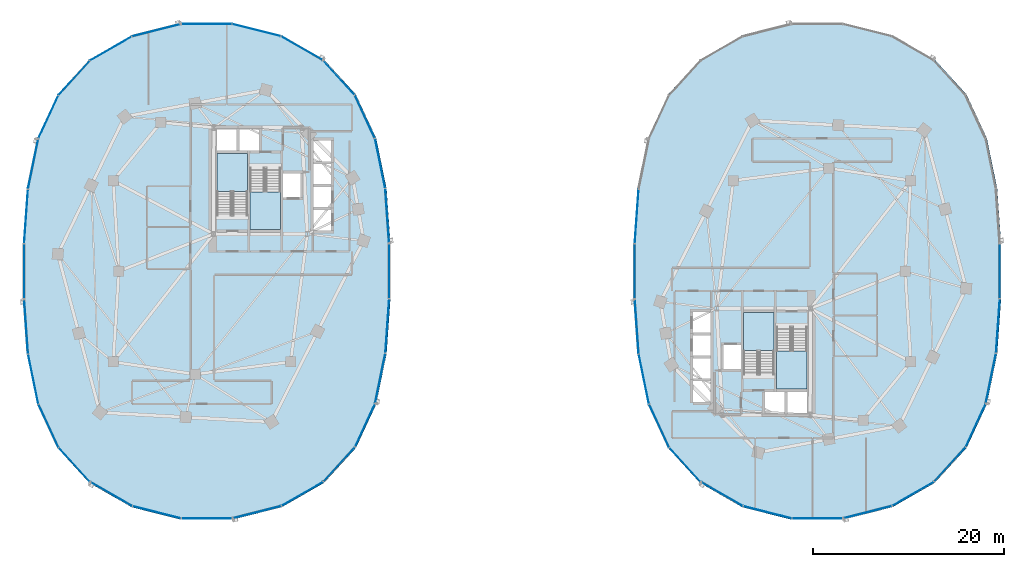
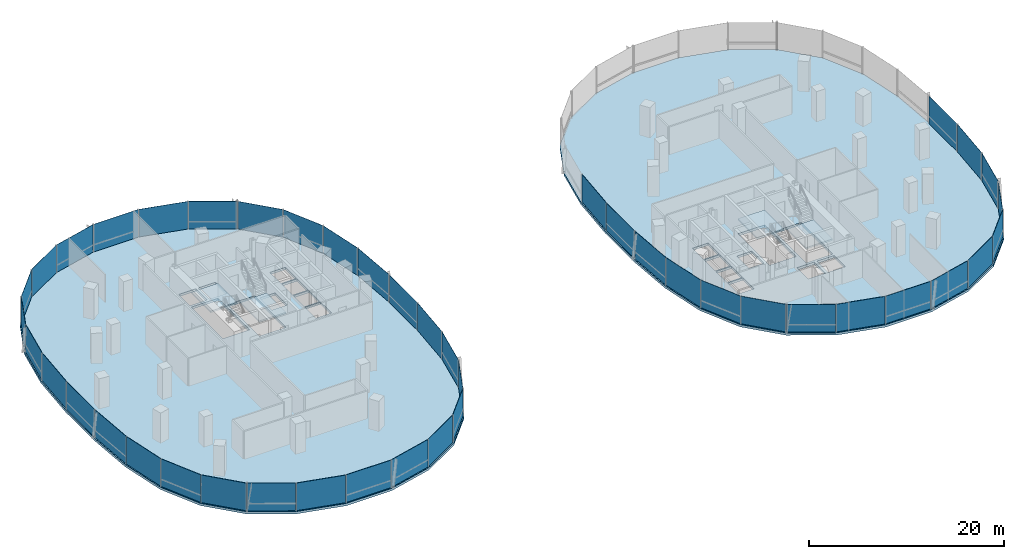
# One storey, part 9 of 21: 44 plates, 6 slabs, 11 elements without a shape of their own.
"""IFC4 building model written with IfcOpenShell, lengths in metres."""

from ifc_helpers import new_model, si_unit, direction, frame, origin, origin_2d, place, context, subcontext, project, spatial, polyline, rectangle, outline, extrude, material, layer, layer_set, type_object, element, aggregate, save


model = new_model("IFC4")

# Units and contexts
model_context = context("Model", 3, precision=1e-05, world=origin(), true_north=direction((0.0, 1.0)))
body_context = subcontext(model_context, "Body", "Model", "MODEL_VIEW")
ifc_project = project(units=[si_unit("LENGTHUNIT", "METRE"), si_unit("AREAUNIT", "SQUARE_METRE"), si_unit("VOLUMEUNIT", "CUBIC_METRE"), si_unit("PLANEANGLEUNIT", "RADIAN"), si_unit("MASSUNIT", "GRAM", prefix="KILO"), si_unit("THERMODYNAMICTEMPERATUREUNIT", "KELVIN"), si_unit("POWERUNIT", "WATT")], contexts=[model_context])

# Site, building, storey
site_placement = place(None, origin())
site = spatial("IfcSite", under=ifc_project, at=site_placement, CompositionType="ELEMENT")
building_placement = place(site_placement, origin())
building = spatial("IfcBuilding", under=site, at=building_placement, Name="Cundina Bronze Exchange", CompositionType="ELEMENT")
storey_placement = place(building_placement, frame((0.0, 0.0, 69.60009765625)))
storey = spatial("IfcBuildingStorey", under=building, at=storey_placement, Name="L17", CompositionType="ELEMENT", Elevation=69.60009765625)

# Curtain wall, plates
ifc_material_1 = material(Name="Anodised Bronze Aluminium 6063-T6", Category="aluminium")
curtain_wall_type = type_object("IfcCurtainWallType", Name="CWS-TRD-LOW", PredefinedType="NOTDEFINED", material=ifc_material_1)
curtain_wall_1_placement = place(storey_placement, origin())
curtain_wall_1 = element("IfcCurtainWall", 1, at=curtain_wall_1_placement, inside=storey, type_object=curtain_wall_type, Name="L17 CW-02 Curtain Wall Run CWR-L17-W1", PredefinedType="NOTDEFINED")
ifc_material_2 = material(Name="Heat-Strengthened Solar-Control Bronze Safety Glass 28mm", Category="glass")
ifc_layer_1 = layer(ifc_material_2, 0.028076171875, Name="Heat-Strengthened Solar-Control Bronze Safety Glass 28mm", Category="glass")
ifc_layer_set_1 = layer_set([ifc_layer_1], Name="Heat-Strengthened Solar-Control Bronze Safety Glass 28mm")
plate_type_1 = type_object("IfcPlateType", Name="PLT-GLZ-VIS28", PredefinedType="CURTAIN_PANEL", material=ifc_layer_set_1)
plate_1_placement = place(storey_placement, frame((-13.0732421875, 5.783935546875, 0.02001953125), z_axis=(0.0, 0.0, 1.0), x_axis=(-0.070278787473, 0.997527389113, 0.0)))
plate_1 = element("IfcPlate", 2, at=plate_1_placement, type_object=plate_type_1, Name="CW-02 Glazed Panel 1", PredefinedType="CURTAIN_PANEL", context=body_context, shape_type="SweptSolid", body=[
    extrude(rectangle(XDim=5.644287109375, YDim=0.028076171875, at=origin_2d()), origin(), (0.0, 0.0, 1.0), 3.4599609375),
])
plate_2_placement = place(storey_placement, frame((-13.81591796875, 11.269775390625, 0.02001953125), z_axis=(0.0, 0.0, 1.0), x_axis=(-0.201419845156, 0.979505000486, 0.0)))
plate_2 = element("IfcPlate", 3, at=plate_2_placement, type_object=plate_type_1, Name="CW-02 Glazed Panel 2", PredefinedType="CURTAIN_PANEL", context=body_context, shape_type="SweptSolid", body=[
    extrude(rectangle(XDim=5.306640625, YDim=0.028076171875, at=origin_2d()), origin(), (0.0, 0.0, 1.0), 3.4599609375),
])
plate_3_placement = place(storey_placement, frame((-18.1259765625, 20.267333984375, 0.02001953125), z_axis=(0.0, 0.0, 1.0), x_axis=(-0.674276610219, 0.73847887777, 0.0)))
plate_3 = element("IfcPlate", 4, at=plate_3_placement, type_object=plate_type_1, Name="CW-02 Glazed Panel 4", PredefinedType="CURTAIN_PANEL", context=body_context, shape_type="SweptSolid", body=[
    extrude(rectangle(XDim=4.86328125, YDim=0.028076171875, at=origin_2d()), origin(), (0.0, 0.0, 1.0), 3.4599609375),
])
plate_4_placement = place(storey_placement, frame((-21.980712890625, 23.34423828125, 0.02001953125), z_axis=(0.0, 0.0, 1.0), x_axis=(-0.867105478933, 0.498124571171, 0.0)))
plate_4 = element("IfcPlate", 5, at=plate_4_placement, type_object=plate_type_1, Name="CW-02 Glazed Panel 5", PredefinedType="CURTAIN_PANEL", context=body_context, shape_type="SweptSolid", body=[
    extrude(rectangle(XDim=5.021240234375, YDim=0.028076171875, at=origin_2d()), origin(), (0.0, 0.0, 1.0), 3.4599609375),
])
plate_5_placement = place(storey_placement, frame((-26.744384765625, 25.256591796875, 0.02001953125), z_axis=(0.0, 0.0, 1.0), x_axis=(-0.969488149345, 0.245138182011, 0.0)))
plate_5 = element("IfcPlate", 6, at=plate_5_placement, type_object=plate_type_1, Name="CW-02 Glazed Panel 6", PredefinedType="CURTAIN_PANEL", context=body_context, shape_type="SweptSolid", body=[
    extrude(rectangle(XDim=5.2333984375, YDim=0.028076171875, at=origin_2d()), origin(), (0.0, 0.0, 1.0), 3.4599609375),
])
plate_6_placement = place(storey_placement, frame((-32.0, 25.905029296875, 0.02001953125), z_axis=(0.0, 0.0, 1.0), x_axis=(-1.0, 0.0, 0.0)))
plate_6 = element("IfcPlate", 7, at=plate_6_placement, type_object=plate_type_1, Name="CW-02 Glazed Panel 7", PredefinedType="CURTAIN_PANEL", context=body_context, shape_type="SweptSolid", body=[
    extrude(rectangle(XDim=5.323974609375, YDim=0.028076171875, at=origin_2d()), origin(), (0.0, 0.0, 1.0), 3.4599609375),
])

curtain_wall_2_placement = place(storey_placement, origin())
curtain_wall_2 = element("IfcCurtainWall", 8, at=curtain_wall_2_placement, inside=storey, type_object=curtain_wall_type, Name="L17 CW-02 Curtain Wall Run CWR-L17-W2", PredefinedType="NOTDEFINED")
plate_7_placement = place(storey_placement, frame((-37.255615234375, 25.256591796875, 0.02001953125), z_axis=(0.0, 0.0, 1.0), x_axis=(-0.969488149345, -0.245138182011, 0.0)))
plate_7 = element("IfcPlate", 9, at=plate_7_placement, type_object=plate_type_1, Name="CW-02 Glazed Panel 1", PredefinedType="CURTAIN_PANEL", context=body_context, shape_type="SweptSolid", body=[
    extrude(rectangle(XDim=5.2333984375, YDim=0.028076171875, at=origin_2d()), origin(), (0.0, 0.0, 1.0), 3.4599609375),
])
plate_8_placement = place(storey_placement, frame((-45.8740234375, 20.267333984375, 0.02001953125), z_axis=(0.0, 0.0, 1.0), x_axis=(-0.674276610219, -0.73847887777, 0.0)))
plate_8 = element("IfcPlate", 10, at=plate_8_placement, type_object=plate_type_1, Name="CW-02 Glazed Panel 3", PredefinedType="CURTAIN_PANEL", context=body_context, shape_type="SweptSolid", body=[
    extrude(rectangle(XDim=4.86328125, YDim=0.028076171875, at=origin_2d()), origin(), (0.0, 0.0, 1.0), 3.4599609375),
])
plate_9_placement = place(storey_placement, frame((-48.586181640625, 16.177734375, 0.02001953125), z_axis=(0.0, 0.0, 1.0), x_axis=(-0.42084583328, -0.907132175932, 0.0)))
plate_9 = element("IfcPlate", 11, at=plate_9_placement, type_object=plate_type_1, Name="CW-02 Glazed Panel 4", PredefinedType="CURTAIN_PANEL", context=body_context, shape_type="SweptSolid", body=[
    extrude(rectangle(XDim=4.966552734375, YDim=0.028076171875, at=origin_2d()), origin(), (0.0, 0.0, 1.0), 3.4599609375),
])
plate_10_placement = place(storey_placement, frame((-50.18408203125, 11.269775390625, 0.02001953125), z_axis=(0.0, 0.0, 1.0), x_axis=(-0.201419845156, -0.979505000486, 0.0)))
plate_10 = element("IfcPlate", 12, at=plate_10_placement, type_object=plate_type_1, Name="CW-02 Glazed Panel 5", PredefinedType="CURTAIN_PANEL", context=body_context, shape_type="SweptSolid", body=[
    extrude(rectangle(XDim=5.306640625, YDim=0.028076171875, at=origin_2d()), origin(), (0.0, 0.0, 1.0), 3.4599609375),
])
plate_11_placement = place(storey_placement, frame((-50.9267578125, 5.783935546875, 0.02001953125), z_axis=(0.0, 0.0, 1.0), x_axis=(-0.070278787473, -0.997527389113, 0.0)))
plate_11 = element("IfcPlate", 13, at=plate_11_placement, type_object=plate_type_1, Name="CW-02 Glazed Panel 6", PredefinedType="CURTAIN_PANEL", context=body_context, shape_type="SweptSolid", body=[
    extrude(rectangle(XDim=5.644287109375, YDim=0.028076171875, at=origin_2d()), origin(), (0.0, 0.0, 1.0), 3.4599609375),
])

curtain_wall_3_placement = place(storey_placement, origin())
curtain_wall_3 = element("IfcCurtainWall", 14, at=curtain_wall_3_placement, inside=storey, type_object=curtain_wall_type, Name="L17 CW-02 Curtain Wall Run CWR-L17-W3", PredefinedType="NOTDEFINED")
plate_12_placement = place(storey_placement, frame((-50.18408203125, -11.269775390625, 0.02001953125), z_axis=(0.0, 0.0, 1.0), x_axis=(0.201419845156, -0.979505000486, 0.0)))
plate_12 = element("IfcPlate", 15, at=plate_12_placement, type_object=plate_type_1, Name="CW-02 Glazed Panel 2", PredefinedType="CURTAIN_PANEL", context=body_context, shape_type="SweptSolid", body=[
    extrude(rectangle(XDim=5.306640625, YDim=0.028076171875, at=origin_2d()), origin(), (0.0, 0.0, 1.0), 3.4599609375),
])
plate_13_placement = place(storey_placement, frame((-48.586181640625, -16.177734375, 0.02001953125), z_axis=(0.0, 0.0, 1.0), x_axis=(0.42084583328, -0.907132175932, 0.0)))
plate_13 = element("IfcPlate", 16, at=plate_13_placement, type_object=plate_type_1, Name="CW-02 Glazed Panel 3", PredefinedType="CURTAIN_PANEL", context=body_context, shape_type="SweptSolid", body=[
    extrude(rectangle(XDim=4.966552734375, YDim=0.028076171875, at=origin_2d()), origin(), (0.0, 0.0, 1.0), 3.4599609375),
])
plate_14_placement = place(storey_placement, frame((-45.8740234375, -20.267333984375, 0.02001953125), z_axis=(0.0, 0.0, 1.0), x_axis=(0.674276610219, -0.73847887777, 0.0)))
plate_14 = element("IfcPlate", 17, at=plate_14_placement, type_object=plate_type_1, Name="CW-02 Glazed Panel 4", PredefinedType="CURTAIN_PANEL", context=body_context, shape_type="SweptSolid", body=[
    extrude(rectangle(XDim=4.86328125, YDim=0.028076171875, at=origin_2d()), origin(), (0.0, 0.0, 1.0), 3.4599609375),
])
plate_15_placement = place(storey_placement, frame((-42.019287109375, -23.34423828125, 0.02001953125), z_axis=(0.0, 0.0, 1.0), x_axis=(0.867105478933, -0.498124571171, 0.0)))
plate_15 = element("IfcPlate", 18, at=plate_15_placement, type_object=plate_type_1, Name="CW-02 Glazed Panel 5", PredefinedType="CURTAIN_PANEL", context=body_context, shape_type="SweptSolid", body=[
    extrude(rectangle(XDim=5.021240234375, YDim=0.028076171875, at=origin_2d()), origin(), (0.0, 0.0, 1.0), 3.4599609375),
])
plate_16_placement = place(storey_placement, frame((-32.0, -25.905029296875, 0.02001953125), z_axis=(0.0, 0.0, 1.0), x_axis=(1.0, 0.0, 0.0)))
plate_16 = element("IfcPlate", 19, at=plate_16_placement, type_object=plate_type_1, Name="CW-02 Glazed Panel 7", PredefinedType="CURTAIN_PANEL", context=body_context, shape_type="SweptSolid", body=[
    extrude(rectangle(XDim=5.323974609375, YDim=0.028076171875, at=origin_2d()), origin(), (0.0, 0.0, 1.0), 3.4599609375),
])

curtain_wall_4_placement = place(storey_placement, origin())
curtain_wall_4 = element("IfcCurtainWall", 20, at=curtain_wall_4_placement, inside=storey, type_object=curtain_wall_type, Name="L17 CW-02 Curtain Wall Run CWR-L17-W4", PredefinedType="NOTDEFINED")
plate_17_placement = place(storey_placement, frame((-26.744384765625, -25.256591796875, 0.02001953125), z_axis=(0.0, 0.0, 1.0), x_axis=(0.969488149345, 0.245138182011, 0.0)))
plate_17 = element("IfcPlate", 21, at=plate_17_placement, type_object=plate_type_1, Name="CW-02 Glazed Panel 1", PredefinedType="CURTAIN_PANEL", context=body_context, shape_type="SweptSolid", body=[
    extrude(rectangle(XDim=5.2333984375, YDim=0.028076171875, at=origin_2d()), origin(), (0.0, 0.0, 1.0), 3.4599609375),
])
plate_18_placement = place(storey_placement, frame((-21.980712890625, -23.34423828125, 0.02001953125), z_axis=(0.0, 0.0, 1.0), x_axis=(0.867105478933, 0.498124571171, 0.0)))
plate_18 = element("IfcPlate", 22, at=plate_18_placement, type_object=plate_type_1, Name="CW-02 Glazed Panel 2", PredefinedType="CURTAIN_PANEL", context=body_context, shape_type="SweptSolid", body=[
    extrude(rectangle(XDim=5.021240234375, YDim=0.028076171875, at=origin_2d()), origin(), (0.0, 0.0, 1.0), 3.4599609375),
])
plate_19_placement = place(storey_placement, frame((-18.1259765625, -20.267333984375, 0.02001953125), z_axis=(0.0, 0.0, 1.0), x_axis=(0.674276610219, 0.73847887777, 0.0)))
plate_19 = element("IfcPlate", 23, at=plate_19_placement, type_object=plate_type_1, Name="CW-02 Glazed Panel 3", PredefinedType="CURTAIN_PANEL", context=body_context, shape_type="SweptSolid", body=[
    extrude(rectangle(XDim=4.86328125, YDim=0.028076171875, at=origin_2d()), origin(), (0.0, 0.0, 1.0), 3.4599609375),
])
plate_20_placement = place(storey_placement, frame((-15.413818359375, -16.177734375, 0.02001953125), z_axis=(0.0, 0.0, 1.0), x_axis=(0.42084583328, 0.907132175932, 0.0)))
plate_20 = element("IfcPlate", 24, at=plate_20_placement, type_object=plate_type_1, Name="CW-02 Glazed Panel 4", PredefinedType="CURTAIN_PANEL", context=body_context, shape_type="SweptSolid", body=[
    extrude(rectangle(XDim=4.966552734375, YDim=0.028076171875, at=origin_2d()), origin(), (0.0, 0.0, 1.0), 3.4599609375),
])
plate_21_placement = place(storey_placement, frame((-13.0732421875, -5.783935546875, 0.02001953125), z_axis=(0.0, 0.0, 1.0), x_axis=(0.070278787473, 0.997527389113, 0.0)))
plate_21 = element("IfcPlate", 25, at=plate_21_placement, type_object=plate_type_1, Name="CW-02 Glazed Panel 6", PredefinedType="CURTAIN_PANEL", context=body_context, shape_type="SweptSolid", body=[
    extrude(rectangle(XDim=5.644287109375, YDim=0.028076171875, at=origin_2d()), origin(), (0.0, 0.0, 1.0), 3.4599609375),
])
plate_22_placement = place(storey_placement, frame((-12.8720703125, 0.0, 0.02001953125), z_axis=(0.0, 0.0, 1.0), x_axis=(0.0, 1.0, 0.0)))
plate_22 = element("IfcPlate", 26, at=plate_22_placement, type_object=plate_type_1, Name="CW-02 Glazed Panel 7", PredefinedType="CURTAIN_PANEL", context=body_context, shape_type="SweptSolid", body=[
    extrude(rectangle(XDim=5.77587890625, YDim=0.028076171875, at=origin_2d()), origin(), (0.0, 0.0, 1.0), 3.4599609375),
])

# Curtain wall, plate
curtain_wall_5_placement = place(storey_placement, origin())
curtain_wall_5 = element("IfcCurtainWall", 27, at=curtain_wall_5_placement, inside=storey, type_object=curtain_wall_type, Name="L17 CW-02 Curtain Wall Run CWR-L17-E2", PredefinedType="NOTDEFINED")
plate_23_placement = place(storey_placement, frame((13.0732421875, 5.783935546875, 0.02001953125), z_axis=(0.0, 0.0, 1.0), x_axis=(-0.070278787473, -0.997527389113, 0.0)))
plate_23 = element("IfcPlate", 28, at=plate_23_placement, type_object=plate_type_1, Name="CW-02 Glazed Panel 6", PredefinedType="CURTAIN_PANEL", context=body_context, shape_type="SweptSolid", body=[
    extrude(rectangle(XDim=5.644287109375, YDim=0.028076171875, at=origin_2d()), origin(), (0.0, 0.0, 1.0), 3.4599609375),
])

# Curtain wall, plates
curtain_wall_6_placement = place(storey_placement, origin())
curtain_wall_6 = element("IfcCurtainWall", 29, at=curtain_wall_6_placement, inside=storey, type_object=curtain_wall_type, Name="L17 CW-02 Curtain Wall Run CWR-L17-E3", PredefinedType="NOTDEFINED")
plate_24_placement = place(storey_placement, frame((13.81591796875, -11.269775390625, 0.02001953125), z_axis=(0.0, 0.0, 1.0), x_axis=(0.201419845156, -0.979505000486, 0.0)))
plate_24 = element("IfcPlate", 30, at=plate_24_placement, type_object=plate_type_1, Name="CW-02 Glazed Panel 2", PredefinedType="CURTAIN_PANEL", context=body_context, shape_type="SweptSolid", body=[
    extrude(rectangle(XDim=5.306640625, YDim=0.028076171875, at=origin_2d()), origin(), (0.0, 0.0, 1.0), 3.4599609375),
])
plate_25_placement = place(storey_placement, frame((15.413818359375, -16.177734375, 0.02001953125), z_axis=(0.0, 0.0, 1.0), x_axis=(0.42084583328, -0.907132175932, 0.0)))
plate_25 = element("IfcPlate", 31, at=plate_25_placement, type_object=plate_type_1, Name="CW-02 Glazed Panel 3", PredefinedType="CURTAIN_PANEL", context=body_context, shape_type="SweptSolid", body=[
    extrude(rectangle(XDim=4.966552734375, YDim=0.028076171875, at=origin_2d()), origin(), (0.0, 0.0, 1.0), 3.4599609375),
])
plate_26_placement = place(storey_placement, frame((18.1259765625, -20.267333984375, 0.02001953125), z_axis=(0.0, 0.0, 1.0), x_axis=(0.674276610219, -0.73847887777, 0.0)))
plate_26 = element("IfcPlate", 32, at=plate_26_placement, type_object=plate_type_1, Name="CW-02 Glazed Panel 4", PredefinedType="CURTAIN_PANEL", context=body_context, shape_type="SweptSolid", body=[
    extrude(rectangle(XDim=4.86328125, YDim=0.028076171875, at=origin_2d()), origin(), (0.0, 0.0, 1.0), 3.4599609375),
])
plate_27_placement = place(storey_placement, frame((21.980712890625, -23.34423828125, 0.02001953125), z_axis=(0.0, 0.0, 1.0), x_axis=(0.867105478933, -0.498124571171, 0.0)))
plate_27 = element("IfcPlate", 33, at=plate_27_placement, type_object=plate_type_1, Name="CW-02 Glazed Panel 5", PredefinedType="CURTAIN_PANEL", context=body_context, shape_type="SweptSolid", body=[
    extrude(rectangle(XDim=5.021240234375, YDim=0.028076171875, at=origin_2d()), origin(), (0.0, 0.0, 1.0), 3.4599609375),
])
plate_28_placement = place(storey_placement, frame((32.0, -25.905029296875, 0.02001953125), z_axis=(0.0, 0.0, 1.0), x_axis=(1.0, 0.0, 0.0)))
plate_28 = element("IfcPlate", 34, at=plate_28_placement, type_object=plate_type_1, Name="CW-02 Glazed Panel 7", PredefinedType="CURTAIN_PANEL", context=body_context, shape_type="SweptSolid", body=[
    extrude(rectangle(XDim=5.323974609375, YDim=0.028076171875, at=origin_2d()), origin(), (0.0, 0.0, 1.0), 3.4599609375),
])

curtain_wall_7_placement = place(storey_placement, origin())
curtain_wall_7 = element("IfcCurtainWall", 35, at=curtain_wall_7_placement, inside=storey, type_object=curtain_wall_type, Name="L17 CW-02 Curtain Wall Run CWR-L17-E4", PredefinedType="NOTDEFINED")
plate_29_placement = place(storey_placement, frame((37.255615234375, -25.256591796875, 0.02001953125), z_axis=(0.0, 0.0, 1.0), x_axis=(0.969488149345, 0.245138182011, 0.0)))
plate_29 = element("IfcPlate", 36, at=plate_29_placement, type_object=plate_type_1, Name="CW-02 Glazed Panel 1", PredefinedType="CURTAIN_PANEL", context=body_context, shape_type="SweptSolid", body=[
    extrude(rectangle(XDim=5.2333984375, YDim=0.028076171875, at=origin_2d()), origin(), (0.0, 0.0, 1.0), 3.4599609375),
])
plate_30_placement = place(storey_placement, frame((42.019287109375, -23.34423828125, 0.02001953125), z_axis=(0.0, 0.0, 1.0), x_axis=(0.867105478933, 0.498124571171, 0.0)))
plate_30 = element("IfcPlate", 37, at=plate_30_placement, type_object=plate_type_1, Name="CW-02 Glazed Panel 2", PredefinedType="CURTAIN_PANEL", context=body_context, shape_type="SweptSolid", body=[
    extrude(rectangle(XDim=5.021240234375, YDim=0.028076171875, at=origin_2d()), origin(), (0.0, 0.0, 1.0), 3.4599609375),
])
plate_31_placement = place(storey_placement, frame((45.8740234375, -20.267333984375, 0.02001953125), z_axis=(0.0, 0.0, 1.0), x_axis=(0.674276610219, 0.73847887777, 0.0)))
plate_31 = element("IfcPlate", 38, at=plate_31_placement, type_object=plate_type_1, Name="CW-02 Glazed Panel 3", PredefinedType="CURTAIN_PANEL", context=body_context, shape_type="SweptSolid", body=[
    extrude(rectangle(XDim=4.86328125, YDim=0.028076171875, at=origin_2d()), origin(), (0.0, 0.0, 1.0), 3.4599609375),
])
plate_32_placement = place(storey_placement, frame((48.586181640625, -16.177734375, 0.02001953125), z_axis=(0.0, 0.0, 1.0), x_axis=(0.42084583328, 0.907132175932, 0.0)))
plate_32 = element("IfcPlate", 39, at=plate_32_placement, type_object=plate_type_1, Name="CW-02 Glazed Panel 4", PredefinedType="CURTAIN_PANEL", context=body_context, shape_type="SweptSolid", body=[
    extrude(rectangle(XDim=4.966552734375, YDim=0.028076171875, at=origin_2d()), origin(), (0.0, 0.0, 1.0), 3.4599609375),
])
plate_33_placement = place(storey_placement, frame((50.9267578125, -5.783935546875, 0.02001953125), z_axis=(0.0, 0.0, 1.0), x_axis=(0.070278787473, 0.997527389113, 0.0)))
plate_33 = element("IfcPlate", 40, at=plate_33_placement, type_object=plate_type_1, Name="CW-02 Glazed Panel 6", PredefinedType="CURTAIN_PANEL", context=body_context, shape_type="SweptSolid", body=[
    extrude(rectangle(XDim=5.644287109375, YDim=0.028076171875, at=origin_2d()), origin(), (0.0, 0.0, 1.0), 3.4599609375),
])
plate_34_placement = place(storey_placement, frame((51.1279296875, 0.0, 0.02001953125), z_axis=(0.0, 0.0, 1.0), x_axis=(0.0, 1.0, 0.0)))
plate_34 = element("IfcPlate", 41, at=plate_34_placement, type_object=plate_type_1, Name="CW-02 Glazed Panel 7", PredefinedType="CURTAIN_PANEL", context=body_context, shape_type="SweptSolid", body=[
    extrude(rectangle(XDim=5.77587890625, YDim=0.028076171875, at=origin_2d()), origin(), (0.0, 0.0, 1.0), 3.4599609375),
])

# Plate
ifc_material_3 = material(Name="Dark Bronze Spandrel Glass Panel 32mm", Category="glass")
ifc_layer_2 = layer(ifc_material_3, 0.031982421875, Name="Dark Bronze Spandrel Glass Panel 32mm", Category="glass")
ifc_layer_set_2 = layer_set([ifc_layer_2], Name="Dark Bronze Spandrel Glass Panel 32mm")
plate_type_2 = type_object("IfcPlateType", Name="PLT-SPN-BRZ32", PredefinedType="CURTAIN_PANEL", material=ifc_layer_set_2)
plate_35_placement = place(storey_placement, frame((-15.413818359375, 16.177734375, 0.02001953125), z_axis=(0.0, 0.0, 1.0), x_axis=(-0.42084583328, 0.907132175932, 0.0)))
plate_35 = element("IfcPlate", 42, at=plate_35_placement, type_object=plate_type_2, Name="CW-02 Glazed Panel 3", PredefinedType="CURTAIN_PANEL", context=body_context, shape_type="SweptSolid", body=[
    extrude(rectangle(XDim=4.966552734375, YDim=0.031982421875, at=origin_2d()), origin(), (0.0, 0.0, 1.0), 3.4599609375),
])

aggregate(curtain_wall_1, [plate_1, plate_2, plate_35, plate_3, plate_4, plate_5, plate_6])

plate_36_placement = place(storey_placement, frame((-42.019287109375, 23.34423828125, 0.02001953125), z_axis=(0.0, 0.0, 1.0), x_axis=(-0.867105478933, -0.498124571171, 0.0)))
plate_36 = element("IfcPlate", 43, at=plate_36_placement, type_object=plate_type_2, Name="CW-02 Glazed Panel 2", PredefinedType="CURTAIN_PANEL", context=body_context, shape_type="SweptSolid", body=[
    extrude(rectangle(XDim=5.021240234375, YDim=0.031982421875, at=origin_2d()), origin(), (0.0, 0.0, 1.0), 3.4599609375),
])

plate_37_placement = place(storey_placement, frame((-51.1279296875, 0.0, 0.02001953125), z_axis=(0.0, 0.0, 1.0), x_axis=(0.0, -1.0, 0.0)))
plate_37 = element("IfcPlate", 44, at=plate_37_placement, type_object=plate_type_2, Name="CW-02 Glazed Panel 7", PredefinedType="CURTAIN_PANEL", context=body_context, shape_type="SweptSolid", body=[
    extrude(rectangle(XDim=5.77587890625, YDim=0.031982421875, at=origin_2d()), origin(), (0.0, 0.0, 1.0), 3.4599609375),
])

aggregate(curtain_wall_2, [plate_7, plate_36, plate_8, plate_9, plate_10, plate_11, plate_37])

plate_38_placement = place(storey_placement, frame((-50.9267578125, -5.783935546875, 0.02001953125), z_axis=(0.0, 0.0, 1.0), x_axis=(0.070278787473, -0.997527389113, 0.0)))
plate_38 = element("IfcPlate", 45, at=plate_38_placement, type_object=plate_type_2, Name="CW-02 Glazed Panel 1", PredefinedType="CURTAIN_PANEL", context=body_context, shape_type="SweptSolid", body=[
    extrude(rectangle(XDim=5.644287109375, YDim=0.031982421875, at=origin_2d()), origin(), (0.0, 0.0, 1.0), 3.4599609375),
])

plate_39_placement = place(storey_placement, frame((-37.255615234375, -25.256591796875, 0.02001953125), z_axis=(0.0, 0.0, 1.0), x_axis=(0.969488149345, -0.245138182011, 0.0)))
plate_39 = element("IfcPlate", 46, at=plate_39_placement, type_object=plate_type_2, Name="CW-02 Glazed Panel 6", PredefinedType="CURTAIN_PANEL", context=body_context, shape_type="SweptSolid", body=[
    extrude(rectangle(XDim=5.2333984375, YDim=0.031982421875, at=origin_2d()), origin(), (0.0, 0.0, 1.0), 3.4599609375),
])

aggregate(curtain_wall_3, [plate_38, plate_12, plate_13, plate_14, plate_15, plate_39, plate_16])

plate_40_placement = place(storey_placement, frame((-13.81591796875, -11.269775390625, 0.02001953125), z_axis=(0.0, 0.0, 1.0), x_axis=(0.201419845156, 0.979505000486, 0.0)))
plate_40 = element("IfcPlate", 47, at=plate_40_placement, type_object=plate_type_2, Name="CW-02 Glazed Panel 5", PredefinedType="CURTAIN_PANEL", context=body_context, shape_type="SweptSolid", body=[
    extrude(rectangle(XDim=5.306640625, YDim=0.031982421875, at=origin_2d()), origin(), (0.0, 0.0, 1.0), 3.4599609375),
])

aggregate(curtain_wall_4, [plate_17, plate_18, plate_19, plate_20, plate_40, plate_21, plate_22])

plate_41_placement = place(storey_placement, frame((12.8720703125, 0.0, 0.02001953125), z_axis=(0.0, 0.0, 1.0), x_axis=(0.0, -1.0, 0.0)))
plate_41 = element("IfcPlate", 48, at=plate_41_placement, type_object=plate_type_2, Name="CW-02 Glazed Panel 7", PredefinedType="CURTAIN_PANEL", context=body_context, shape_type="SweptSolid", body=[
    extrude(rectangle(XDim=5.77587890625, YDim=0.031982421875, at=origin_2d()), origin(), (0.0, 0.0, 1.0), 3.4599609375),
])

aggregate(curtain_wall_5, [plate_23, plate_41])

plate_42_placement = place(storey_placement, frame((13.0732421875, -5.783935546875, 0.02001953125), z_axis=(0.0, 0.0, 1.0), x_axis=(0.070278787473, -0.997527389113, 0.0)))
plate_42 = element("IfcPlate", 49, at=plate_42_placement, type_object=plate_type_2, Name="CW-02 Glazed Panel 1", PredefinedType="CURTAIN_PANEL", context=body_context, shape_type="SweptSolid", body=[
    extrude(rectangle(XDim=5.644287109375, YDim=0.031982421875, at=origin_2d()), origin(), (0.0, 0.0, 1.0), 3.4599609375),
])

plate_43_placement = place(storey_placement, frame((26.744384765625, -25.256591796875, 0.02001953125), z_axis=(0.0, 0.0, 1.0), x_axis=(0.969488149345, -0.245138182011, 0.0)))
plate_43 = element("IfcPlate", 50, at=plate_43_placement, type_object=plate_type_2, Name="CW-02 Glazed Panel 6", PredefinedType="CURTAIN_PANEL", context=body_context, shape_type="SweptSolid", body=[
    extrude(rectangle(XDim=5.2333984375, YDim=0.031982421875, at=origin_2d()), origin(), (0.0, 0.0, 1.0), 3.4599609375),
])

aggregate(curtain_wall_6, [plate_42, plate_24, plate_25, plate_26, plate_27, plate_43, plate_28])

plate_44_placement = place(storey_placement, frame((50.18408203125, -11.269775390625, 0.02001953125), z_axis=(0.0, 0.0, 1.0), x_axis=(0.201419845156, 0.979505000486, 0.0)))
plate_44 = element("IfcPlate", 51, at=plate_44_placement, type_object=plate_type_2, Name="CW-02 Glazed Panel 5", PredefinedType="CURTAIN_PANEL", context=body_context, shape_type="SweptSolid", body=[
    extrude(rectangle(XDim=5.306640625, YDim=0.031982421875, at=origin_2d()), origin(), (0.0, 0.0, 1.0), 3.4599609375),
])

aggregate(curtain_wall_7, [plate_29, plate_30, plate_31, plate_32, plate_44, plate_33, plate_34])

# Stair, slab
ifc_material_4 = material(Name="Concrete C40/50", Category="concrete")
stair_type = type_object("IfcStairType", Name="STR-TRD-380", PredefinedType="HALF_TURN_STAIR", material=ifc_material_4)
stair_1_placement = place(storey_placement, origin())
stair_1 = element("IfcStair", 52, at=stair_1_placement, inside=storey, type_object=stair_type, Name="L17 Smokeproof Exit Stair W1", PredefinedType="HALF_TURN_STAIR")
ifc_layer_3 = layer(ifc_material_4, 0.199951171875, Name="Concrete C40/50", Category="concrete")
ifc_layer_set_3 = layer_set([ifc_layer_3], Name="Concrete C40/50")
slab_type_1 = type_object("IfcSlabType", Name="SLB-LND-200", PredefinedType="LANDING", material=ifc_layer_set_3)
slab_1_placement = place(storey_placement, frame((0.0, 0.0, 1.699951171875)))
slab_1 = element("IfcSlab", 53, at=slab_1_placement, type_object=slab_type_1, Name="ST-W1 landing 1", PredefinedType="LANDING", context=body_context, shape_type="SweptSolid", body=[
    extrude(outline(polyline([(-27.739990234375, 8.3701171875), (-27.739990234375, 12.35009765625), (-30.89990234375, 12.35009765625), (-30.89990234375, 8.3701171875), (-27.739990234375, 8.3701171875)])), origin(), (0.0, 0.0, 1.0), 0.199951171875),
])
aggregate(stair_1, [slab_1])

stair_2_placement = place(storey_placement, origin())
stair_2 = element("IfcStair", 54, at=stair_2_placement, inside=storey, type_object=stair_type, Name="L17 Smokeproof Exit Stair W2", PredefinedType="HALF_TURN_STAIR")
slab_2_placement = place(storey_placement, frame((0.0, 0.0, 1.699951171875)))
slab_2 = element("IfcSlab", 55, at=slab_2_placement, type_object=slab_type_1, Name="ST-W2 landing 1", PredefinedType="LANDING", context=body_context, shape_type="SweptSolid", body=[
    extrude(outline(polyline([(-27.43994140625, 8.330078125), (-27.43994140625, 4.35009765625), (-24.280029296875, 4.35009765625), (-24.280029296875, 8.330078125), (-27.43994140625, 8.330078125)])), origin(), (0.0, 0.0, 1.0), 0.199951171875),
])
aggregate(stair_2, [slab_2])

stair_3_placement = place(storey_placement, origin())
stair_3 = element("IfcStair", 56, at=stair_3_placement, inside=storey, type_object=stair_type, Name="L17 Smokeproof Exit Stair E1", PredefinedType="HALF_TURN_STAIR")
slab_3_placement = place(storey_placement, frame((0.0, 0.0, 1.699951171875)))
slab_3 = element("IfcSlab", 57, at=slab_3_placement, type_object=slab_type_1, Name="ST-E1 landing 1", PredefinedType="LANDING", context=body_context, shape_type="SweptSolid", body=[
    extrude(outline(polyline([(27.739990234375, -8.3701171875), (27.739990234375, -12.35009765625), (30.89990234375, -12.35009765625), (30.89990234375, -8.3701171875), (27.739990234375, -8.3701171875)])), origin(), (0.0, 0.0, 1.0), 0.199951171875),
])
aggregate(stair_3, [slab_3])

stair_4_placement = place(storey_placement, origin())
stair_4 = element("IfcStair", 58, at=stair_4_placement, inside=storey, type_object=stair_type, Name="L17 Smokeproof Exit Stair E2", PredefinedType="HALF_TURN_STAIR")
slab_4_placement = place(storey_placement, frame((0.0, 0.0, 1.699951171875)))
slab_4 = element("IfcSlab", 59, at=slab_4_placement, type_object=slab_type_1, Name="ST-E2 landing 1", PredefinedType="LANDING", context=body_context, shape_type="SweptSolid", body=[
    extrude(outline(polyline([(27.43994140625, -8.330078125), (27.43994140625, -4.35009765625), (24.280029296875, -4.35009765625), (24.280029296875, -8.330078125), (27.43994140625, -8.330078125)])), origin(), (0.0, 0.0, 1.0), 0.199951171875),
])
aggregate(stair_4, [slab_4])

# Slabs
ifc_material_5 = material(Name="Concrete C50/60", Category="concrete")
ifc_layer_4 = layer(ifc_material_5, 0.300048828125, Name="Concrete C50/60", Category="concrete")
ifc_layer_set_4 = layer_set([ifc_layer_4], Name="Concrete C50/60")
slab_type_2 = type_object("IfcSlabType", Name="SLB-TRD-300", PredefinedType="FLOOR", material=ifc_layer_set_4)
slab_5_placement = place(storey_placement, frame((0.0, 0.0, -0.300048828125)))
element("IfcSlab", 60, at=slab_5_placement, inside=storey, type_object=slab_type_2, Name="L17 Leg W Structural Floor Slab", PredefinedType="FLOOR", context=body_context, shape_type="SweptSolid", body=[
    extrude(outline(polyline([(-12.741943359375, 2.93310546875), (-13.14501953125, 8.653076171875), (-14.23193359375, 13.93896484375), (-16.360107421875, 18.52587890625), (-19.699951171875, 22.18408203125), (-24.132080078125, 24.72998046875), (-29.29296875, 26.034912109375), (-34.70703125, 26.034912109375), (-39.867919921875, 24.72998046875), (-44.300048828125, 22.18408203125), (-47.639892578125, 18.52587890625), (-49.76806640625, 13.93896484375), (-50.85498046875, 8.653076171875), (-51.258056640625, 2.93310546875), (-51.258056640625, -2.93310546875), (-50.85498046875, -8.653076171875), (-49.76806640625, -13.93896484375), (-47.639892578125, -18.52587890625), (-44.300048828125, -22.18408203125), (-39.867919921875, -24.72998046875), (-34.70703125, -26.034912109375), (-29.29296875, -26.034912109375), (-24.132080078125, -24.72998046875), (-19.699951171875, -22.18408203125), (-16.360107421875, -18.52587890625), (-14.23193359375, -13.93896484375), (-13.14501953125, -8.653076171875), (-12.741943359375, -2.93310546875), (-12.741943359375, 2.93310546875)]), holes=[polyline([(-27.739990234375, 5.85009765625), (-27.739990234375, 12.35009765625), (-30.89990234375, 12.35009765625), (-30.89990234375, 5.85009765625), (-27.739990234375, 5.85009765625)]), polyline([(-27.43994140625, 10.85009765625), (-27.43994140625, 4.35009765625), (-24.280029296875, 4.35009765625), (-24.280029296875, 10.85009765625), (-27.43994140625, 10.85009765625)]), polyline([(-23.97998046875, 10.25), (-22.179931640625, 10.25), (-22.179931640625, 7.75), (-23.97998046875, 7.75), (-23.97998046875, 10.25)]), polyline([(-30.89990234375, 14.949951171875), (-28.85009765625, 14.949951171875), (-28.85009765625, 12.64990234375), (-30.89990234375, 12.64990234375), (-30.89990234375, 14.949951171875)]), polyline([(-28.550048828125, 14.949951171875), (-26.5, 14.949951171875), (-26.5, 12.64990234375), (-28.550048828125, 12.64990234375), (-28.550048828125, 14.949951171875)]), polyline([(-20.800048828125, 13.699951171875), (-18.949951171875, 13.699951171875), (-18.949951171875, 11.449951171875), (-20.800048828125, 11.449951171875), (-20.800048828125, 13.699951171875)]), polyline([(-20.800048828125, 11.300048828125), (-18.949951171875, 11.300048828125), (-18.949951171875, 9.050048828125), (-20.800048828125, 9.050048828125), (-20.800048828125, 11.300048828125)]), polyline([(-20.800048828125, 8.89990234375), (-18.949951171875, 8.89990234375), (-18.949951171875, 6.64990234375), (-20.800048828125, 6.64990234375), (-20.800048828125, 8.89990234375)]), polyline([(-20.800048828125, 6.5), (-18.949951171875, 6.5), (-18.949951171875, 4.25), (-20.800048828125, 4.25), (-20.800048828125, 6.5)])]), origin(), (0.0, 0.0, 1.0), 0.300048828125),
])
slab_6_placement = place(storey_placement, frame((0.0, 0.0, -0.300048828125)))
element("IfcSlab", 61, at=slab_6_placement, inside=storey, type_object=slab_type_2, Name="L17 Leg E Structural Floor Slab", PredefinedType="FLOOR", context=body_context, shape_type="SweptSolid", body=[
    extrude(outline(polyline([(51.258056640625, 2.93310546875), (50.85498046875, 8.653076171875), (49.76806640625, 13.93896484375), (47.639892578125, 18.52587890625), (44.300048828125, 22.18408203125), (39.867919921875, 24.72998046875), (34.70703125, 26.034912109375), (29.29296875, 26.034912109375), (24.132080078125, 24.72998046875), (19.699951171875, 22.18408203125), (16.360107421875, 18.52587890625), (14.23193359375, 13.93896484375), (13.14501953125, 8.653076171875), (12.741943359375, 2.93310546875), (12.741943359375, -2.93310546875), (13.14501953125, -8.653076171875), (14.23193359375, -13.93896484375), (16.360107421875, -18.52587890625), (19.699951171875, -22.18408203125), (24.132080078125, -24.72998046875), (29.29296875, -26.034912109375), (34.70703125, -26.034912109375), (39.867919921875, -24.72998046875), (44.300048828125, -22.18408203125), (47.639892578125, -18.52587890625), (49.76806640625, -13.93896484375), (50.85498046875, -8.653076171875), (51.258056640625, -2.93310546875), (51.258056640625, 2.93310546875)]), holes=[polyline([(27.739990234375, -5.85009765625), (27.739990234375, -12.35009765625), (30.89990234375, -12.35009765625), (30.89990234375, -5.85009765625), (27.739990234375, -5.85009765625)]), polyline([(27.43994140625, -10.85009765625), (27.43994140625, -4.35009765625), (24.280029296875, -4.35009765625), (24.280029296875, -10.85009765625), (27.43994140625, -10.85009765625)]), polyline([(22.179931640625, -7.75), (23.97998046875, -7.75), (23.97998046875, -10.25), (22.179931640625, -10.25), (22.179931640625, -7.75)]), polyline([(28.85009765625, -12.64990234375), (30.89990234375, -12.64990234375), (30.89990234375, -14.949951171875), (28.85009765625, -14.949951171875), (28.85009765625, -12.64990234375)]), polyline([(26.5, -12.64990234375), (28.550048828125, -12.64990234375), (28.550048828125, -14.949951171875), (26.5, -14.949951171875), (26.5, -12.64990234375)]), polyline([(18.949951171875, -11.449951171875), (20.800048828125, -11.449951171875), (20.800048828125, -13.699951171875), (18.949951171875, -13.699951171875), (18.949951171875, -11.449951171875)]), polyline([(18.949951171875, -9.050048828125), (20.800048828125, -9.050048828125), (20.800048828125, -11.300048828125), (18.949951171875, -11.300048828125), (18.949951171875, -9.050048828125)]), polyline([(18.949951171875, -6.64990234375), (20.800048828125, -6.64990234375), (20.800048828125, -8.89990234375), (18.949951171875, -8.89990234375), (18.949951171875, -6.64990234375)]), polyline([(18.949951171875, -4.25), (20.800048828125, -4.25), (20.800048828125, -6.5), (18.949951171875, -6.5), (18.949951171875, -4.25)])]), origin(), (0.0, 0.0, 1.0), 0.300048828125),
])

save(model, "model.ifc")
